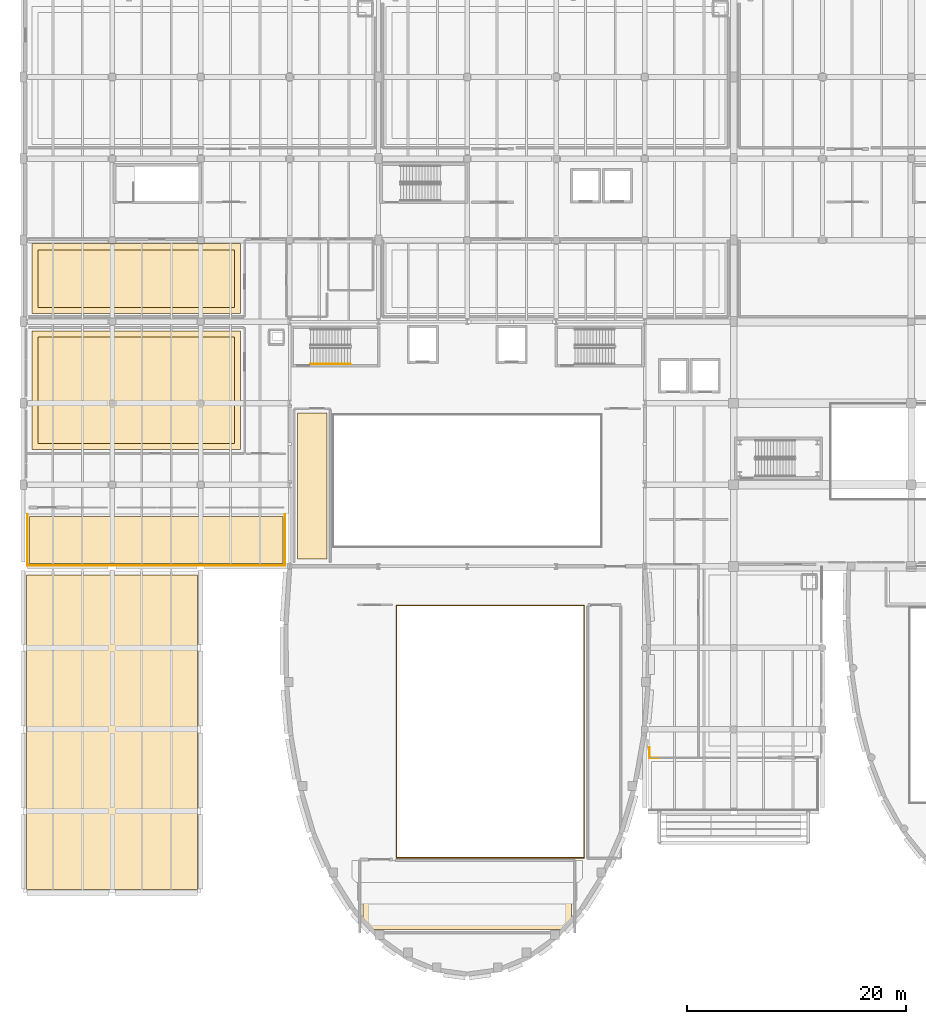
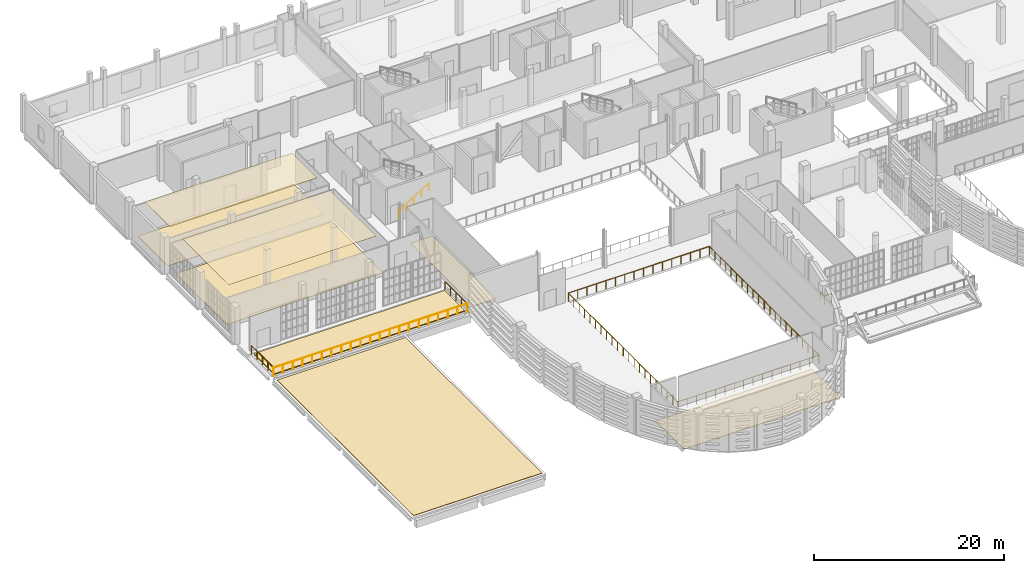
# One storey, part 97 of 104: 8 coverings, 7 railings.
"""IFC4 building model written with IfcOpenShell, lengths in metres."""

from ifc_helpers import new_model, si_unit, direction, frame, origin, origin_2d, place, context, subcontext, project, spatial, polyline, circle, outline, extrude, material, layer, layer_set, type_object, element, save


model = new_model("IFC4")

# Units and contexts
model_context = context("Model", 3, precision=1e-05, world=origin(), true_north=direction((0.0, 1.0)))
body_context = subcontext(model_context, "Body", "Model", "MODEL_VIEW")
ifc_project = project(units=[si_unit("LENGTHUNIT", "METRE"), si_unit("AREAUNIT", "SQUARE_METRE"), si_unit("VOLUMEUNIT", "CUBIC_METRE"), si_unit("PLANEANGLEUNIT", "RADIAN"), si_unit("MASSUNIT", "GRAM", prefix="KILO")], contexts=[model_context])

# Site, building, storey
site_placement = place(None, origin())
site = spatial("IfcSite", under=ifc_project, at=site_placement, CompositionType="ELEMENT")
building_placement = place(site_placement, origin())
building = spatial("IfcBuilding", under=site, at=building_placement, Name="Kaelora Sail Theatre", CompositionType="ELEMENT")
storey_placement = place(building_placement, frame((0.0, 0.0, 5.39990234375)))
storey = spatial("IfcBuildingStorey", under=building, at=storey_placement, Name="L01", CompositionType="ELEMENT", Elevation=5.39990234375)

# Coverings
ifc_material_1 = material(Name="Micro-perforated timber acoustic reflector", Category="wood")
ifc_layer_1 = layer(ifc_material_1, 0.050048828125)
ifc_layer_set_1 = layer_set([ifc_layer_1], Name="Micro-perforated timber acoustic reflector")
covering_type_1 = type_object("IfcCoveringType", Name="ARC-COV-CLG-AC-50", PredefinedType="CEILING", material=ifc_layer_set_1)
covering_1_placement = place(storey_placement, frame((0.0, 0.0, 4.51513671875)))
element("IfcCovering", 1, at=covering_1_placement, inside=storey, type_object=covering_type_1, Name="Acoustic ceiling L01-VOCAL-W", PredefinedType="CEILING", context=body_context, shape_type="SweptSolid", body=[
    extrude(outline(polyline([(2.85009765625, 84.64990234375), (20.75, 84.64990234375), (20.75, 89.89990234375), (2.85009765625, 89.89990234375), (2.85009765625, 84.64990234375)])), origin(), (0.0, 0.0, 1.0), 0.050048828125),
])
ifc_material_2 = material(Name="Suspended acoustic mineral-fibre ceiling", Category="gypsum")
ifc_layer_2 = layer(ifc_material_2, 0.034912109375)
ifc_layer_set_2 = layer_set([ifc_layer_2], Name="Suspended acoustic mineral-fibre ceiling")
covering_type_2 = type_object("IfcCoveringType", Name="ARC-COV-CLG-GYP-35", PredefinedType="CEILING", material=ifc_layer_set_2)
covering_2_placement = place(storey_placement, frame((0.0, 0.0, 4.570068359375)))
element("IfcCovering", 2, at=covering_2_placement, inside=storey, type_object=covering_type_2, Name="Acoustic ceiling L01-FOY-WEST", PredefinedType="CEILING", context=body_context, shape_type="SweptSolid", body=[
    extrude(outline(polyline([(2.85009765625, 72.25), (20.75, 72.25), (20.75, 81.949951171875), (2.85009765625, 81.949951171875), (2.85009765625, 72.25)])), origin(), (0.0, 0.0, 1.0), 0.034912109375),
])
ifc_material_3 = material(Name="Acoustic rubber backstage studio flooring", Category="rubber")
ifc_layer_3 = layer(ifc_material_3, 0.02197265625)
ifc_layer_set_3 = layer_set([ifc_layer_3], Name="Acoustic rubber backstage studio flooring")
covering_type_3 = type_object("IfcCoveringType", Name="ARC-COV-FLR-AC-22", PredefinedType="FLOORING", material=ifc_layer_set_3)
covering_3_placement = place(storey_placement, origin())
element("IfcCovering", 3, at=covering_3_placement, inside=storey, type_object=covering_type_3, Name="Architectural flooring L01-FLY-GAL1", PredefinedType="FLOORING", context=body_context, shape_type="SweptSolid", body=[
    extrude(outline(polyline([(26.5, 61.699951171875), (29.199951171875, 61.699951171875), (29.199951171875, 75.0), (26.5, 75.0), (26.5, 61.699951171875)])), origin(), (0.0, 0.0, 1.0), 0.022216796875),
])
ifc_material_4 = material(Name="Sprung West African iroko stage and dance floor", Category="timber")
ifc_layer_4 = layer(ifc_material_4, 0.028076171875)
ifc_layer_set_4 = layer_set([ifc_layer_4], Name="Sprung West African iroko stage and dance floor")
covering_type_4 = type_object("IfcCoveringType", Name="ARC-COV-FLR-OAK-28", PredefinedType="FLOORING", material=ifc_layer_set_4)
covering_4_placement = place(storey_placement, origin())
element("IfcCovering", 4, at=covering_4_placement, inside=storey, type_object=covering_type_4, Name="Architectural flooring L01-GAL-MAIN-S", PredefinedType="FLOORING", context=body_context, shape_type="SweptSolid", body=[
    extrude(outline(polyline([(32.5, 27.89990234375), (51.5, 27.89990234375), (51.5, 33.89990234375), (32.5, 33.89990234375), (32.5, 27.89990234375)])), origin(), (0.0, 0.0, 1.0), 0.028076171875),
])
covering_5_placement = place(storey_placement, origin())
element("IfcCovering", 5, at=covering_5_placement, inside=storey, type_object=covering_type_4, Name="Architectural flooring L01-VOCAL-W", PredefinedType="FLOORING", context=body_context, shape_type="SweptSolid", body=[
    extrude(outline(polyline([(2.300048828125, 84.10009765625), (21.300048828125, 84.10009765625), (21.300048828125, 90.449951171875), (2.300048828125, 90.449951171875), (2.300048828125, 84.10009765625)])), origin(), (0.0, 0.0, 1.0), 0.028076171875),
])
ifc_material_5 = material(Name="Polished basalt-terrazzo foyer flooring", Category="masonry")
ifc_layer_5 = layer(ifc_material_5, 0.031982421875)
ifc_layer_set_5 = layer_set([ifc_layer_5], Name="Polished basalt-terrazzo foyer flooring")
covering_type_5 = type_object("IfcCoveringType", Name="ARC-COV-FLR-TRZ-32", PredefinedType="FLOORING", material=ifc_layer_set_5)
covering_6_placement = place(storey_placement, origin())
element("IfcCovering", 6, at=covering_6_placement, inside=storey, type_object=covering_type_5, Name="Architectural flooring L01-FOY-WEST", PredefinedType="FLOORING", context=body_context, shape_type="SweptSolid", body=[
    extrude(outline(polyline([(2.300048828125, 71.699951171875), (21.300048828125, 71.699951171875), (21.300048828125, 82.5), (2.300048828125, 82.5), (2.300048828125, 71.699951171875)])), origin(), (0.0, 0.0, 1.0), 0.031982421875),
])
ifc_material_6 = material(Name="Planted roof garden and green foliage terrace bed", Category="earth")
ifc_layer_6 = layer(ifc_material_6, 0.1201171875)
ifc_layer_set_6 = layer_set([ifc_layer_6], Name="Planted roof garden and green foliage terrace bed")
covering_type_6 = type_object("IfcCoveringType", Name="ARC-COV-GRN", PredefinedType="ROOFING", material=ifc_layer_set_6)
covering_7_placement = place(storey_placement, origin())
element("IfcCovering", 7, at=covering_7_placement, inside=storey, type_object=covering_type_6, Name="First Step West Colonnade Planted Podium Terrace Planted Garden Bed", PredefinedType="ROOFING", context=body_context, shape_type="SweptSolid", body=[
    extrude(outline(polyline([(2.050048828125, 61.284912109375), (25.199951171875, 61.284912109375), (25.199951171875, 65.56494140625), (2.050048828125, 65.56494140625), (2.050048828125, 61.284912109375)])), origin(), (0.0, 0.0, 1.0), 0.1201171875),
])
ifc_material_7 = material(Name="Standing-seam titanium-zinc and TPO membrane", Category="metal")
ifc_layer_7 = layer(ifc_material_7, 0.044921875)
ifc_layer_set_7 = layer_set([ifc_layer_7], Name="Standing-seam titanium-zinc and TPO membrane")
covering_type_7 = type_object("IfcCoveringType", Name="ARC-COV-RFM", PredefinedType="ROOFING", material=ifc_layer_set_7)
covering_8_placement = place(storey_placement, origin())
element("IfcCovering", 8, at=covering_8_placement, inside=storey, type_object=covering_type_7, Name="Standing-seam titanium-zinc roofing COLW", PredefinedType="ROOFING", context=body_context, shape_type="SweptSolid", body=[
    extrude(outline(polyline([(1.800048828125, 31.56005859375), (17.39990234375, 31.56005859375), (17.39990234375, 60.25), (1.800048828125, 60.25), (1.800048828125, 31.56005859375)])), origin(), (0.0, 0.0, 1.0), 0.045166015625),
])

# Railings
ifc_material_8 = material(Name="Acoustic bronze and laminated glass balcony balustrade", Category="glass")
railing_type_1 = type_object("IfcRailingType", Name="ARC-RL-BAL", PredefinedType="BALUSTRADE", material=ifc_material_8)
railing_1_placement = place(storey_placement, frame((35.5400390625, 45.89990234375, 0.0)))
element("IfcRailing", 9, at=railing_1_placement, inside=storey, type_object=railing_type_1, Name="Interior void balustrade AUD-M1 south", PredefinedType="BALUSTRADE", context=body_context, shape_type="SweptSolid", body=[
    extrude(circle(Radius=0.02392578125, at=origin_2d()), frame((0.0, 0.0, 1.076171875), z_axis=(0.0, -1.0, 0.0), x_axis=(1.0, 0.0, 0.0)), (0.0, 0.0, 1.0), 11.4599609375),
    extrude(circle(Radius=0.02392578125, at=origin_2d()), frame((0.0, -11.4599609375, 1.076171875), z_axis=(1.0, 0.0, 0.0), x_axis=(0.0, 1.0, 0.0)), (0.0, 0.0, 1.0), 17.119873046875),
    extrude(circle(Radius=0.02392578125, at=origin_2d()), frame((17.119873046875, -11.4599609375, 1.076171875), z_axis=(0.0, 1.0, 0.0), x_axis=(-1.0, 0.0, 0.0)), (0.0, 0.0, 1.0), 11.4599609375),
    extrude(circle(Radius=0.02099609375, at=origin_2d()), origin(), (0.0, 0.0, 1.0), 1.052001953125),
    extrude(circle(Radius=0.02099609375, at=origin_2d()), frame((0.0, -1.14599609375, 0.0)), (0.0, 0.0, 1.0), 1.052001953125),
    extrude(circle(Radius=0.02099609375, at=origin_2d()), frame((0.0, -2.2919921875, 0.0)), (0.0, 0.0, 1.0), 1.052001953125),
    extrude(circle(Radius=0.02099609375, at=origin_2d()), frame((0.0, -3.43798828125, 0.0)), (0.0, 0.0, 1.0), 1.052001953125),
    extrude(circle(Radius=0.02099609375, at=origin_2d()), frame((0.0, -4.583984375, 0.0)), (0.0, 0.0, 1.0), 1.052001953125),
    extrude(circle(Radius=0.02099609375, at=origin_2d()), frame((0.0, -5.72998046875, 0.0)), (0.0, 0.0, 1.0), 1.052001953125),
    extrude(circle(Radius=0.02099609375, at=origin_2d()), frame((0.0, -6.8759765625, 0.0)), (0.0, 0.0, 1.0), 1.052001953125),
    extrude(circle(Radius=0.02099609375, at=origin_2d()), frame((0.0, -8.02197265625, 0.0)), (0.0, 0.0, 1.0), 1.052001953125),
    extrude(circle(Radius=0.02099609375, at=origin_2d()), frame((0.0, -9.16796875, 0.0)), (0.0, 0.0, 1.0), 1.052001953125),
    extrude(circle(Radius=0.02099609375, at=origin_2d()), frame((0.0, -10.31396484375, 0.0)), (0.0, 0.0, 1.0), 1.052001953125),
    extrude(circle(Radius=0.02099609375, at=origin_2d()), frame((0.0, -11.4599609375, 0.0)), (0.0, 0.0, 1.0), 1.052001953125),
    extrude(circle(Radius=0.02099609375, at=origin_2d()), frame((1.141357421875, -11.4599609375, 0.0)), (0.0, 0.0, 1.0), 1.052001953125),
    extrude(circle(Radius=0.02099609375, at=origin_2d()), frame((2.28271484375, -11.4599609375, 0.0)), (0.0, 0.0, 1.0), 1.052001953125),
    extrude(circle(Radius=0.02099609375, at=origin_2d()), frame((3.424072265625, -11.4599609375, 0.0)), (0.0, 0.0, 1.0), 1.052001953125),
    extrude(circle(Radius=0.02099609375, at=origin_2d()), frame((4.565185546875, -11.4599609375, 0.0)), (0.0, 0.0, 1.0), 1.052001953125),
    extrude(circle(Radius=0.02099609375, at=origin_2d()), frame((5.70654296875, -11.4599609375, 0.0)), (0.0, 0.0, 1.0), 1.052001953125),
    extrude(circle(Radius=0.02099609375, at=origin_2d()), frame((6.847900390625, -11.4599609375, 0.0)), (0.0, 0.0, 1.0), 1.052001953125),
    extrude(circle(Radius=0.02099609375, at=origin_2d()), frame((7.9892578125, -11.4599609375, 0.0)), (0.0, 0.0, 1.0), 1.052001953125),
    extrude(circle(Radius=0.02099609375, at=origin_2d()), frame((9.130615234375, -11.4599609375, 0.0)), (0.0, 0.0, 1.0), 1.052001953125),
    extrude(circle(Radius=0.02099609375, at=origin_2d()), frame((10.27197265625, -11.4599609375, 0.0)), (0.0, 0.0, 1.0), 1.052001953125),
    extrude(circle(Radius=0.02099609375, at=origin_2d()), frame((11.413330078125, -11.4599609375, 0.0)), (0.0, 0.0, 1.0), 1.052001953125),
    extrude(circle(Radius=0.02099609375, at=origin_2d()), frame((12.5546875, -11.4599609375, 0.0)), (0.0, 0.0, 1.0), 1.052001953125),
    extrude(circle(Radius=0.02099609375, at=origin_2d()), frame((13.69580078125, -11.4599609375, 0.0)), (0.0, 0.0, 1.0), 1.052001953125),
    extrude(circle(Radius=0.02099609375, at=origin_2d()), frame((14.837158203125, -11.4599609375, 0.0)), (0.0, 0.0, 1.0), 1.052001953125),
    extrude(circle(Radius=0.02099609375, at=origin_2d()), frame((15.978515625, -11.4599609375, 0.0)), (0.0, 0.0, 1.0), 1.052001953125),
    extrude(circle(Radius=0.02099609375, at=origin_2d()), frame((17.119873046875, -11.4599609375, 0.0)), (0.0, 0.0, 1.0), 1.052001953125),
    extrude(circle(Radius=0.02099609375, at=origin_2d()), frame((17.119873046875, -10.31396484375, 0.0)), (0.0, 0.0, 1.0), 1.052001953125),
    extrude(circle(Radius=0.02099609375, at=origin_2d()), frame((17.119873046875, -9.16796875, 0.0)), (0.0, 0.0, 1.0), 1.052001953125),
    extrude(circle(Radius=0.02099609375, at=origin_2d()), frame((17.119873046875, -8.02197265625, 0.0)), (0.0, 0.0, 1.0), 1.052001953125),
    extrude(circle(Radius=0.02099609375, at=origin_2d()), frame((17.119873046875, -6.8759765625, 0.0)), (0.0, 0.0, 1.0), 1.052001953125),
    extrude(circle(Radius=0.02099609375, at=origin_2d()), frame((17.119873046875, -5.72998046875, 0.0)), (0.0, 0.0, 1.0), 1.052001953125),
    extrude(circle(Radius=0.02099609375, at=origin_2d()), frame((17.119873046875, -4.583984375, 0.0)), (0.0, 0.0, 1.0), 1.052001953125),
    extrude(circle(Radius=0.02099609375, at=origin_2d()), frame((17.119873046875, -3.43798828125, 0.0)), (0.0, 0.0, 1.0), 1.052001953125),
    extrude(circle(Radius=0.02099609375, at=origin_2d()), frame((17.119873046875, -2.2919921875, 0.0)), (0.0, 0.0, 1.0), 1.052001953125),
    extrude(circle(Radius=0.02099609375, at=origin_2d()), frame((17.119873046875, -1.14599609375, 0.0)), (0.0, 0.0, 1.0), 1.052001953125),
    extrude(circle(Radius=0.02099609375, at=origin_2d()), frame((17.119873046875, 0.0, 0.0)), (0.0, 0.0, 1.0), 1.052001953125),
])
railing_2_placement = place(storey_placement, frame((52.659912109375, 46.0, 0.0)))
element("IfcRailing", 10, at=railing_2_placement, inside=storey, type_object=railing_type_1, Name="Interior void balustrade AUD-M1 north", PredefinedType="BALUSTRADE", context=body_context, shape_type="SweptSolid", body=[
    extrude(circle(Radius=0.02392578125, at=origin_2d()), frame((0.0, 0.0, 1.076171875), z_axis=(0.0, 1.0, 0.0), x_axis=(-1.0, 0.0, 0.0)), (0.0, 0.0, 1.0), 11.4599609375),
    extrude(circle(Radius=0.02392578125, at=origin_2d()), frame((0.0, 11.4599609375, 1.076171875), z_axis=(-1.0, 0.0, 0.0), x_axis=(0.0, -1.0, 0.0)), (0.0, 0.0, 1.0), 17.119873046875),
    extrude(circle(Radius=0.02392578125, at=origin_2d()), frame((-17.119873046875, 11.4599609375, 1.076171875), z_axis=(0.0, -1.0, 0.0), x_axis=(1.0, 0.0, 0.0)), (0.0, 0.0, 1.0), 11.4599609375),
    extrude(circle(Radius=0.02099609375, at=origin_2d()), origin(), (0.0, 0.0, 1.0), 1.052001953125),
    extrude(circle(Radius=0.02099609375, at=origin_2d()), frame((0.0, 1.14599609375, 0.0)), (0.0, 0.0, 1.0), 1.052001953125),
    extrude(circle(Radius=0.02099609375, at=origin_2d()), frame((0.0, 2.2919921875, 0.0)), (0.0, 0.0, 1.0), 1.052001953125),
    extrude(circle(Radius=0.02099609375, at=origin_2d()), frame((0.0, 3.43798828125, 0.0)), (0.0, 0.0, 1.0), 1.052001953125),
    extrude(circle(Radius=0.02099609375, at=origin_2d()), frame((0.0, 4.583984375, 0.0)), (0.0, 0.0, 1.0), 1.052001953125),
    extrude(circle(Radius=0.02099609375, at=origin_2d()), frame((0.0, 5.72998046875, 0.0)), (0.0, 0.0, 1.0), 1.052001953125),
    extrude(circle(Radius=0.02099609375, at=origin_2d()), frame((0.0, 6.8759765625, 0.0)), (0.0, 0.0, 1.0), 1.052001953125),
    extrude(circle(Radius=0.02099609375, at=origin_2d()), frame((0.0, 8.02197265625, 0.0)), (0.0, 0.0, 1.0), 1.052001953125),
    extrude(circle(Radius=0.02099609375, at=origin_2d()), frame((0.0, 9.16796875, 0.0)), (0.0, 0.0, 1.0), 1.052001953125),
    extrude(circle(Radius=0.02099609375, at=origin_2d()), frame((0.0, 10.31396484375, 0.0)), (0.0, 0.0, 1.0), 1.052001953125),
    extrude(circle(Radius=0.02099609375, at=origin_2d()), frame((0.0, 11.4599609375, 0.0)), (0.0, 0.0, 1.0), 1.052001953125),
    extrude(circle(Radius=0.02099609375, at=origin_2d()), frame((-1.141357421875, 11.4599609375, 0.0)), (0.0, 0.0, 1.0), 1.052001953125),
    extrude(circle(Radius=0.02099609375, at=origin_2d()), frame((-2.28271484375, 11.4599609375, 0.0)), (0.0, 0.0, 1.0), 1.052001953125),
    extrude(circle(Radius=0.02099609375, at=origin_2d()), frame((-3.424072265625, 11.4599609375, 0.0)), (0.0, 0.0, 1.0), 1.052001953125),
    extrude(circle(Radius=0.02099609375, at=origin_2d()), frame((-4.565185546875, 11.4599609375, 0.0)), (0.0, 0.0, 1.0), 1.052001953125),
    extrude(circle(Radius=0.02099609375, at=origin_2d()), frame((-5.70654296875, 11.4599609375, 0.0)), (0.0, 0.0, 1.0), 1.052001953125),
    extrude(circle(Radius=0.02099609375, at=origin_2d()), frame((-6.847900390625, 11.4599609375, 0.0)), (0.0, 0.0, 1.0), 1.052001953125),
    extrude(circle(Radius=0.02099609375, at=origin_2d()), frame((-7.9892578125, 11.4599609375, 0.0)), (0.0, 0.0, 1.0), 1.052001953125),
    extrude(circle(Radius=0.02099609375, at=origin_2d()), frame((-9.130615234375, 11.4599609375, 0.0)), (0.0, 0.0, 1.0), 1.052001953125),
    extrude(circle(Radius=0.02099609375, at=origin_2d()), frame((-10.27197265625, 11.4599609375, 0.0)), (0.0, 0.0, 1.0), 1.052001953125),
    extrude(circle(Radius=0.02099609375, at=origin_2d()), frame((-11.413330078125, 11.4599609375, 0.0)), (0.0, 0.0, 1.0), 1.052001953125),
    extrude(circle(Radius=0.02099609375, at=origin_2d()), frame((-12.5546875, 11.4599609375, 0.0)), (0.0, 0.0, 1.0), 1.052001953125),
    extrude(circle(Radius=0.02099609375, at=origin_2d()), frame((-13.69580078125, 11.4599609375, 0.0)), (0.0, 0.0, 1.0), 1.052001953125),
    extrude(circle(Radius=0.02099609375, at=origin_2d()), frame((-14.837158203125, 11.4599609375, 0.0)), (0.0, 0.0, 1.0), 1.052001953125),
    extrude(circle(Radius=0.02099609375, at=origin_2d()), frame((-15.978515625, 11.4599609375, 0.0)), (0.0, 0.0, 1.0), 1.052001953125),
    extrude(circle(Radius=0.02099609375, at=origin_2d()), frame((-17.119873046875, 11.4599609375, 0.0)), (0.0, 0.0, 1.0), 1.052001953125),
    extrude(circle(Radius=0.02099609375, at=origin_2d()), frame((-17.119873046875, 10.31396484375, 0.0)), (0.0, 0.0, 1.0), 1.052001953125),
    extrude(circle(Radius=0.02099609375, at=origin_2d()), frame((-17.119873046875, 9.16796875, 0.0)), (0.0, 0.0, 1.0), 1.052001953125),
    extrude(circle(Radius=0.02099609375, at=origin_2d()), frame((-17.119873046875, 8.02197265625, 0.0)), (0.0, 0.0, 1.0), 1.052001953125),
    extrude(circle(Radius=0.02099609375, at=origin_2d()), frame((-17.119873046875, 6.8759765625, 0.0)), (0.0, 0.0, 1.0), 1.052001953125),
    extrude(circle(Radius=0.02099609375, at=origin_2d()), frame((-17.119873046875, 5.72998046875, 0.0)), (0.0, 0.0, 1.0), 1.052001953125),
    extrude(circle(Radius=0.02099609375, at=origin_2d()), frame((-17.119873046875, 4.583984375, 0.0)), (0.0, 0.0, 1.0), 1.052001953125),
    extrude(circle(Radius=0.02099609375, at=origin_2d()), frame((-17.119873046875, 3.43798828125, 0.0)), (0.0, 0.0, 1.0), 1.052001953125),
    extrude(circle(Radius=0.02099609375, at=origin_2d()), frame((-17.119873046875, 2.2919921875, 0.0)), (0.0, 0.0, 1.0), 1.052001953125),
    extrude(circle(Radius=0.02099609375, at=origin_2d()), frame((-17.119873046875, 1.14599609375, 0.0)), (0.0, 0.0, 1.0), 1.052001953125),
    extrude(circle(Radius=0.02099609375, at=origin_2d()), frame((-17.119873046875, 0.0, 0.0)), (0.0, 0.0, 1.0), 1.052001953125),
])
ifc_material_9 = material(Name="Painted steel and laminated safety glass guard", Category="steel")
railing_type_2 = type_object("IfcRailingType", Name="ARC-RL-GRD", PredefinedType="GUARDRAIL", material=ifc_material_9)
railing_3_placement = place(storey_placement, frame((59.449951171875, 43.550048828125, 0.0)))
element("IfcRailing", 11, at=railing_3_placement, inside=storey, type_object=railing_type_2, Name="Interior deck-edge closure guard GRD-DECK-FI1-SW", PredefinedType="GUARDRAIL", context=body_context, shape_type="SweptSolid", body=[
    extrude(circle(Radius=0.02392578125, at=origin_2d()), frame((0.0, 0.0, 1.076171875), z_axis=(-1.0, 0.0, 0.0), x_axis=(0.0, -1.0, 0.0)), (0.0, 0.0, 1.0), 0.820068359375),
    extrude(circle(Radius=0.02392578125, at=origin_2d()), frame((-0.820068359375, 0.0, 1.076171875), z_axis=(0.0, 1.0, 0.0), x_axis=(-1.0, 0.0, 0.0)), (0.0, 0.0, 1.0), 0.949951171875),
    extrude(circle(Radius=0.02099609375, at=origin_2d()), origin(), (0.0, 0.0, 1.0), 1.052001953125),
    extrude(circle(Radius=0.02099609375, at=origin_2d()), frame((-0.820068359375, 0.0, 0.0)), (0.0, 0.0, 1.0), 1.052001953125),
    extrude(circle(Radius=0.02099609375, at=origin_2d()), frame((-0.820068359375, 0.949951171875, 0.0)), (0.0, 0.0, 1.0), 1.052001953125),
])
ifc_material_10 = material(Name="Brushed stainless steel 316L tubular handrail", Category="steel")
railing_type_3 = type_object("IfcRailingType", Name="ARC-RL-HND", PredefinedType="HANDRAIL", material=ifc_material_10)
railing_4_placement = place(storey_placement, frame((27.7099609375, 79.5, 0.171630859375)))
element("IfcRailing", 12, at=railing_4_placement, inside=storey, type_object=railing_type_3, Name="L01 ST-K1 stair handrail 1", PredefinedType="HANDRAIL", context=body_context, shape_type="SweptSolid", body=[
    extrude(circle(Radius=0.02392578125, at=origin_2d()), frame((0.0, 0.0, 0.8759765625), z_axis=(0.852865859571, 0.0, 0.52213008492), x_axis=(0.0, 1.0, 0.0)), (0.0, 0.0, 1.0), 4.26806640625),
    extrude(circle(Radius=0.02099609375, at=origin_2d()), origin(), (0.0, 0.0, 1.0), 0.851806640625),
    extrude(circle(Radius=0.02099609375, at=origin_2d()), frame((0.91015625, 0.0, 0.55712890625)), (0.0, 0.0, 1.0), 0.851806640625),
    extrude(circle(Radius=0.02099609375, at=origin_2d()), frame((1.820068359375, 0.0, 1.1142578125)), (0.0, 0.0, 1.0), 0.851806640625),
    extrude(circle(Radius=0.02099609375, at=origin_2d()), frame((2.72998046875, 0.0, 1.67138671875)), (0.0, 0.0, 1.0), 0.851806640625),
    extrude(circle(Radius=0.02099609375, at=origin_2d()), frame((3.64013671875, 0.0, 2.228515625)), (0.0, 0.0, 1.0), 0.851806640625),
])
ifc_material_11 = material(Name="Stainless steel 316L and laminated glass balustrade", Category="steel")
railing_type_4 = type_object("IfcRailingType", Name="ARC-RL-TER", PredefinedType="GUARDRAIL", material=ifc_material_11)
railing_5_placement = place(storey_placement, frame((1.860107421875, 61.114990234375, 0.0)))
element("IfcRailing", 13, at=railing_5_placement, inside=storey, type_object=railing_type_4, Name="First Step West Colonnade Planted Podium Terrace Balustrade S", PredefinedType="GUARDRAIL", context=body_context, shape_type="SweptSolid", body=[
    extrude(circle(Radius=0.02392578125, at=origin_2d()), frame((0.0, 0.0, 1.076171875), z_axis=(1.0, 0.0, 0.0), x_axis=(0.0, 1.0, 0.0)), (0.0, 0.0, 1.0), 23.52978515625),
    extrude(circle(Radius=0.02099609375, at=origin_2d()), origin(), (0.0, 0.0, 1.0), 1.052001953125),
    extrude(circle(Radius=0.02099609375, at=origin_2d()), frame((1.176513671875, 0.0, 0.0)), (0.0, 0.0, 1.0), 1.052001953125),
    extrude(circle(Radius=0.02099609375, at=origin_2d()), frame((2.35302734375, 0.0, 0.0)), (0.0, 0.0, 1.0), 1.052001953125),
    extrude(circle(Radius=0.02099609375, at=origin_2d()), frame((3.529541015625, 0.0, 0.0)), (0.0, 0.0, 1.0), 1.052001953125),
    extrude(circle(Radius=0.02099609375, at=origin_2d()), frame((4.7060546875, 0.0, 0.0)), (0.0, 0.0, 1.0), 1.052001953125),
    extrude(circle(Radius=0.02099609375, at=origin_2d()), frame((5.88232421875, 0.0, 0.0)), (0.0, 0.0, 1.0), 1.052001953125),
    extrude(circle(Radius=0.02099609375, at=origin_2d()), frame((7.058837890625, 0.0, 0.0)), (0.0, 0.0, 1.0), 1.052001953125),
    extrude(circle(Radius=0.02099609375, at=origin_2d()), frame((8.2353515625, 0.0, 0.0)), (0.0, 0.0, 1.0), 1.052001953125),
    extrude(circle(Radius=0.02099609375, at=origin_2d()), frame((9.411865234375, 0.0, 0.0)), (0.0, 0.0, 1.0), 1.052001953125),
    extrude(circle(Radius=0.02099609375, at=origin_2d()), frame((10.58837890625, 0.0, 0.0)), (0.0, 0.0, 1.0), 1.052001953125),
    extrude(circle(Radius=0.02099609375, at=origin_2d()), frame((11.764892578125, 0.0, 0.0)), (0.0, 0.0, 1.0), 1.052001953125),
    extrude(circle(Radius=0.02099609375, at=origin_2d()), frame((12.94140625, 0.0, 0.0)), (0.0, 0.0, 1.0), 1.052001953125),
    extrude(circle(Radius=0.02099609375, at=origin_2d()), frame((14.117919921875, 0.0, 0.0)), (0.0, 0.0, 1.0), 1.052001953125),
    extrude(circle(Radius=0.02099609375, at=origin_2d()), frame((15.29443359375, 0.0, 0.0)), (0.0, 0.0, 1.0), 1.052001953125),
    extrude(circle(Radius=0.02099609375, at=origin_2d()), frame((16.470947265625, 0.0, 0.0)), (0.0, 0.0, 1.0), 1.052001953125),
    extrude(circle(Radius=0.02099609375, at=origin_2d()), frame((17.6474609375, 0.0, 0.0)), (0.0, 0.0, 1.0), 1.052001953125),
    extrude(circle(Radius=0.02099609375, at=origin_2d()), frame((18.82373046875, 0.0, 0.0)), (0.0, 0.0, 1.0), 1.052001953125),
    extrude(circle(Radius=0.02099609375, at=origin_2d()), frame((20.000244140625, 0.0, 0.0)), (0.0, 0.0, 1.0), 1.052001953125),
    extrude(circle(Radius=0.02099609375, at=origin_2d()), frame((21.1767578125, 0.0, 0.0)), (0.0, 0.0, 1.0), 1.052001953125),
    extrude(circle(Radius=0.02099609375, at=origin_2d()), frame((22.353271484375, 0.0, 0.0)), (0.0, 0.0, 1.0), 1.052001953125),
    extrude(circle(Radius=0.02099609375, at=origin_2d()), frame((23.52978515625, 0.0, 0.0)), (0.0, 0.0, 1.0), 1.052001953125),
])
for number, where, name in (
    (14, (1.8798828125, 61.114990234375, 0.0), "First Step West Colonnade Planted Podium Terrace Balustrade W"),
    (15, (25.3701171875, 61.114990234375, 0.0), "First Step West Colonnade Planted Podium Terrace Balustrade E"),
):
    element("IfcRailing", number, at=place(storey_placement, frame(where)), inside=storey, type_object=railing_type_4, Name=name, PredefinedType="GUARDRAIL", context=body_context, shape_type="SweptSolid", body=[
        extrude(circle(Radius=0.02392578125, at=origin_2d()), frame((0.0, 0.0, 1.076171875), z_axis=(0.0, 1.0, 0.0), x_axis=(-1.0, 0.0, 0.0)), (0.0, 0.0, 1.0), 4.6201171875),
        extrude(circle(Radius=0.02099609375, at=origin_2d()), origin(), (0.0, 0.0, 1.0), 1.052001953125),
        extrude(circle(Radius=0.02099609375, at=origin_2d()), frame((0.0, 1.155029296875, 0.0)), (0.0, 0.0, 1.0), 1.052001953125),
        extrude(circle(Radius=0.02099609375, at=origin_2d()), frame((0.0, 2.31005859375, 0.0)), (0.0, 0.0, 1.0), 1.052001953125),
        extrude(circle(Radius=0.02099609375, at=origin_2d()), frame((0.0, 3.465087890625, 0.0)), (0.0, 0.0, 1.0), 1.052001953125),
        extrude(circle(Radius=0.02099609375, at=origin_2d()), frame((0.0, 4.6201171875, 0.0)), (0.0, 0.0, 1.0), 1.052001953125),
    ])

save(model, "model.ifc")
